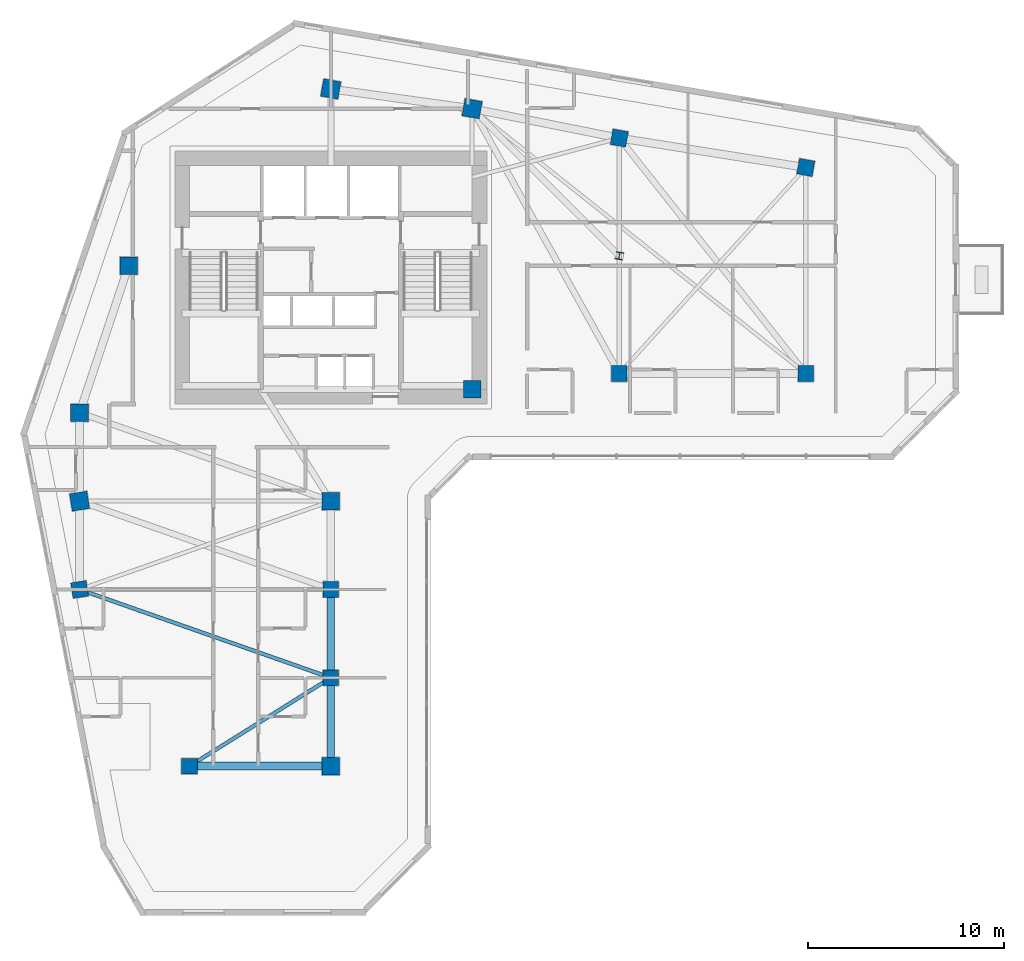
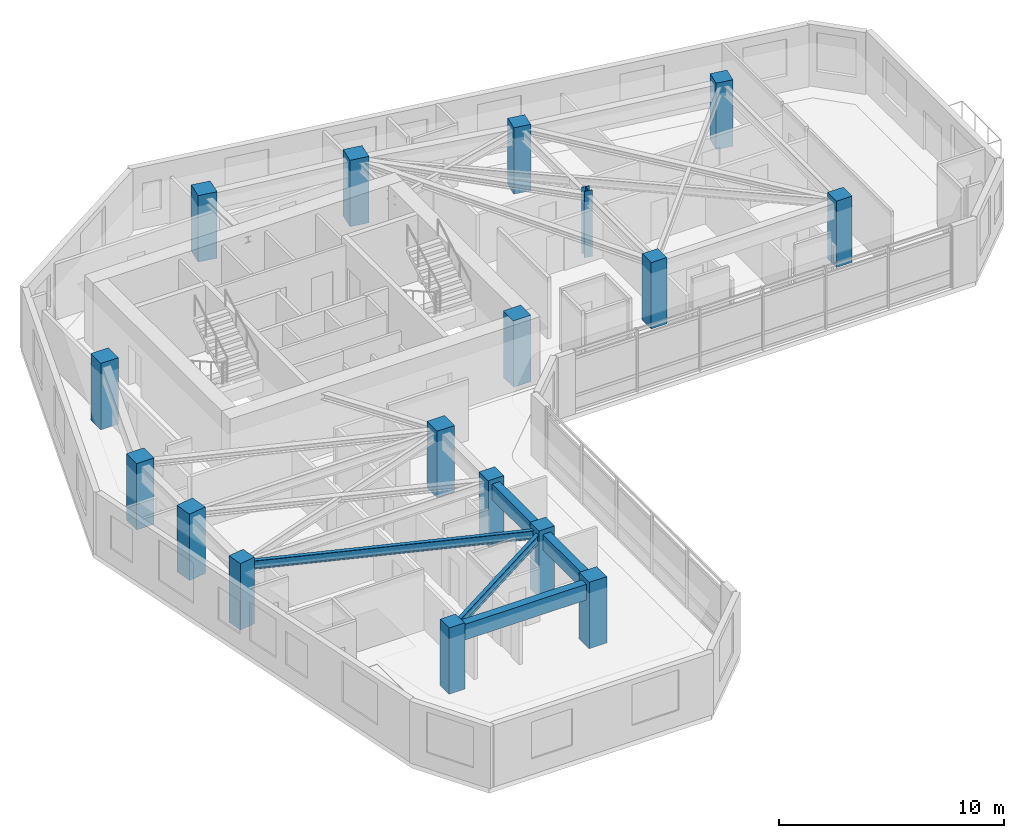
# One storey, part 1 of 14: 17 columns, 5 beams.
"""IFC4 building model written with IfcOpenShell, lengths in metres."""

from ifc_helpers import new_model, si_unit, direction, frame, origin, origin_2d, place, context, subcontext, project, spatial, rectangle, i_section, extrude, source, transform, mapped, material, material_profile, profile_set, type_object, element, save


model = new_model("IFC4")

# Units and contexts
model_context = context("Model", 3, precision=1e-05, world=origin(), true_north=direction((0.0, 1.0)))
body_context = subcontext(model_context, "Body", "Model", "MODEL_VIEW")
ifc_project = project(units=[si_unit("LENGTHUNIT", "METRE"), si_unit("AREAUNIT", "SQUARE_METRE"), si_unit("VOLUMEUNIT", "CUBIC_METRE"), si_unit("PLANEANGLEUNIT", "RADIAN"), si_unit("MASSUNIT", "GRAM", prefix="KILO")], contexts=[model_context])

# Site, building, storey
site_placement = place(None, origin())
site = spatial("IfcSite", under=ifc_project, at=site_placement, CompositionType="ELEMENT")
building_placement = place(site_placement, origin())
building = spatial("IfcBuilding", under=site, at=building_placement, Name="Calvemar Wedge Station Tower", CompositionType="ELEMENT")
storey_placement = place(building_placement, frame((0.0, 0.0, 128.60009765625)))
storey = spatial("IfcBuildingStorey", under=building, at=storey_placement, Name="L31", CompositionType="ELEMENT", Elevation=128.60009765625)

# Columns
ifc_material_1 = material(Name="Concrete C60", Category="concrete")
ifc_material_profile_1 = material_profile(ifc_material_1, rectangle(XDim=0.89990234375, YDim=0.89990234375, at=origin_2d()), Name="RC900x900")
ifc_profile_set_1 = profile_set([ifc_material_profile_1], Name="Concrete C60")
column_type_1 = type_object("IfcColumnType", Name="COL-C5-900", PredefinedType="COLUMN", material=ifc_profile_set_1)
shared_shape_1 = source(origin(), body_context, "Body", "SweptSolid", [
    extrude(rectangle(XDim=0.89990234375, YDim=0.89990234375, at=origin_2d()), origin(), (0.0, 0.0, 1.0), 3.599853515625),
])
for number, where, z_axis, x_axis, name in (
    (1, (11.0, 33.0, 0.0), (0.0, 0.0, 1.0), (1.0, 0.0, 0.0), "Storey L31 Column T-NW1"),
    (2, (13.5, 40.5, 0.0), (0.0, 0.0, 1.0), (1.0, 0.0, 0.0), "Storey L31 Column T-NW2"),
    (3, (23.800048828125, 49.5, 0.0), (0.0, 0.0, 1.0), (0.984195607969, -0.17708474032, 0.0), "Storey L31 Column T-N1"),
    (4, (31.0, 48.5, 0.0), (0.0, 0.0, 1.0), (0.984195607969, -0.17708474032, 0.0), "Storey L31 Column T-N2"),
    (5, (31.0, 34.199951171875, 0.0), (0.0, 0.0, 1.0), (1.0, 0.0, 0.0), "Storey L31 Column T-NL1"),
    (6, (11.0, 28.5, 0.0), (0.0, 0.0, 1.0), (0.158158067254, -0.987413806751, 0.0), "Storey L31 Column T-SW1"),
    (7, (23.800048828125, 28.5, 0.0), (0.0, 0.0, 1.0), (1.0, 0.0, 0.0), "Storey L31 Column T-SE1"),
    (8, (23.800048828125, 15.0, 0.0), (0.0, 0.0, 1.0), (1.0, 0.0, 0.0), "Storey L31 Column T-SE4"),
):
    element("IfcColumn", number, at=place(storey_placement, frame(where, z_axis=z_axis, x_axis=x_axis)), inside=storey, type_object=column_type_1, Name=name, PredefinedType="COLUMN", context=body_context, shape_type="MappedRepresentation", body=[
        mapped(shared_shape_1, transform((0.0, 0.0, 0.0), scale=1.0)),
    ])
ifc_material_2 = material(Name="Concrete C50", Category="concrete")
ifc_material_profile_2 = material_profile(ifc_material_2, rectangle(XDim=0.800048828125, YDim=0.800048828125, at=origin_2d()), Name="RC800x800")
ifc_profile_set_2 = profile_set([ifc_material_profile_2], Name="Concrete C50")
column_type_2 = type_object("IfcColumnType", Name="COL-C6-800", PredefinedType="COLUMN", material=ifc_profile_set_2)
shared_shape_2 = source(origin(), body_context, "Body", "SweptSolid", [
    extrude(rectangle(XDim=0.800048828125, YDim=0.800048828125, at=origin_2d()), origin(), (0.0, 0.0, 1.0), 3.599853515625),
])
for number, where, z_axis, x_axis, name in (
    (9, (38.5, 47.0, 0.0), (0.0, 0.0, 1.0), (0.984195607969, -0.17708474032, 0.0), "Storey L31 Column T-NU3"),
    (10, (48.0, 45.5, 0.0), (0.0, 0.0, 1.0), (0.984195607969, -0.17708474032, 0.0), "Storey L31 Column T-NU4"),
    (11, (38.5, 35.0, 0.0), (0.0, 0.0, 1.0), (1.0, 0.0, 0.0), "Storey L31 Column T-NL2"),
    (12, (48.0, 35.0, 0.0), (0.0, 0.0, 1.0), (1.0, 0.0, 0.0), "Storey L31 Column T-NL3"),
    (13, (11.0, 24.0, 0.0), (0.0, 0.0, 1.0), (0.158158067254, -0.987413806751, 0.0), "Storey L31 Column T-SW2"),
    (14, (23.800048828125, 24.0, 0.0), (0.0, 0.0, 1.0), (1.0, 0.0, 0.0), "Storey L31 Column T-SE2"),
    (15, (23.800048828125, 19.5, 0.0), (0.0, 0.0, 1.0), (1.0, 0.0, 0.0), "Storey L31 Column T-SE3"),
    (16, (16.60009765625, 15.0, 0.0), (0.0, 0.0, 1.0), (1.0, 0.0, 0.0), "Storey L31 Column T-SM1"),
):
    element("IfcColumn", number, at=place(storey_placement, frame(where, z_axis=z_axis, x_axis=x_axis)), inside=storey, type_object=column_type_2, Name=name, PredefinedType="COLUMN", context=body_context, shape_type="MappedRepresentation", body=[
        mapped(shared_shape_2, transform((0.0, 0.0, 0.0), scale=1.0)),
    ])
ifc_material_3 = material(Name="Structural steel ASTM A572 Grade 50", Category="steel")
ifc_material_profile_3 = material_profile(ifc_material_3, i_section(OverallWidth=0.3740234375, OverallDepth=0.3720703125, WebThickness=0.016357421875, FlangeThickness=0.026123046875, FilletRadius=0.014892578125, at=origin_2d()), Name="W360x196")
ifc_profile_set_3 = profile_set([ifc_material_profile_3], Name="Structural steel ASTM A572 Grade 50")
column_type_3 = type_object("IfcColumnType", Name="COL-STL-W360", PredefinedType="COLUMN", material=ifc_profile_set_3)
shared_shape_3 = source(origin(), body_context, "Body", "SweptSolid", [
    extrude(i_section(OverallWidth=0.3740234375, OverallDepth=0.3720703125, WebThickness=0.016357421875, FlangeThickness=0.026123046875, FilletRadius=0.014892578125, at=origin_2d()), origin(), (0.0, 0.0, 1.0), 3.599853515625),
])
column_placement = place(storey_placement, frame((38.5, 41.0, 0.0), z_axis=(0.0, 0.0, 1.0), x_axis=(0.984195607969, -0.17708474032, 0.0)))
element("IfcColumn", 17, at=column_placement, inside=storey, type_object=column_type_3, Name="Storey L31 Column T-NTIP-B", PredefinedType="COLUMN", context=body_context, shape_type="MappedRepresentation", body=[
    mapped(shared_shape_3, transform((0.0, 0.0, 0.0), scale=1.0)),
])

# Beams
ifc_material_profile_4 = material_profile(ifc_material_1, rectangle(XDim=0.39990234375, YDim=0.85009765625, at=origin_2d()), Name="RC400x850")
ifc_profile_set_4 = profile_set([ifc_material_profile_4], Name="Concrete C60")
beam_type_1 = type_object("IfcBeamType", Name="BM-SP1-850", PredefinedType="SPANDREL", material=ifc_profile_set_4)
shared_shape_4 = source(origin(), body_context, "Body", "SweptSolid", [
    extrude(rectangle(XDim=0.39990234375, YDim=0.85009765625, at=origin_2d()), origin(), (0.0, 0.0, 1.0), 4.5),
])
for number, where, z_axis, x_axis, name in (
    (18, (23.800048828125, 24.0, 2.9248046875), (0.0, -1.0, 0.0), (1.0, 0.0, 0.0), "Storey L31 Spandrel T-SE2-T-SE3"),
    (19, (23.800048828125, 19.5, 2.9248046875), (0.0, -1.0, 0.0), (1.0, 0.0, 0.0), "Storey L31 Spandrel T-SE3-T-SE4"),
):
    element("IfcBeam", number, at=place(storey_placement, frame(where, z_axis=z_axis, x_axis=x_axis)), inside=storey, type_object=beam_type_1, Name=name, PredefinedType="SPANDREL", context=body_context, shape_type="MappedRepresentation", body=[
        mapped(shared_shape_4, transform((0.0, 0.0, 0.0), scale=1.0)),
    ])
shared_shape_5 = source(origin(), body_context, "Body", "SweptSolid", [
    extrude(rectangle(XDim=0.39990234375, YDim=0.85009765625, at=origin_2d()), origin(), (0.0, 0.0, 1.0), 7.199951171875),
])
beam_1_placement = place(storey_placement, frame((16.60009765625, 15.0, 2.9248046875), z_axis=(1.0, 0.0, 0.0), x_axis=(0.0, 1.0, 0.0)))
element("IfcBeam", 20, at=beam_1_placement, inside=storey, type_object=beam_type_1, Name="Storey L31 Spandrel T-SM1-T-SE4", PredefinedType="SPANDREL", context=body_context, shape_type="MappedRepresentation", body=[
    mapped(shared_shape_5, transform((0.0, 0.0, 0.0), scale=1.0)),
])
ifc_material_profile_5 = material_profile(ifc_material_3, i_section(OverallWidth=0.19189453125, OverallDepth=0.462890625, WebThickness=0.010498046875, FlangeThickness=0.017578125, FilletRadius=0.012939453125, at=origin_2d()), Name="W460x89")
ifc_profile_set_5 = profile_set([ifc_material_profile_5], Name="Structural steel ASTM A572 Grade 50")
beam_type_2 = type_object("IfcBeamType", Name="BM-J1-W460", PredefinedType="JOIST", material=ifc_profile_set_5)
shared_shape_6 = source(origin(), body_context, "Body", "SweptSolid", [
    extrude(i_section(OverallWidth=0.19189453125, OverallDepth=0.462890625, WebThickness=0.010498046875, FlangeThickness=0.017578125, FilletRadius=0.012939453125, at=origin_2d()), origin(), (0.0, 0.0, 1.0), 13.568115234375),
])
beam_2_placement = place(storey_placement, frame((11.0, 24.0, 3.118408203125), z_axis=(0.943398221169, -0.331662171939, 0.0), x_axis=(0.331662171939, 0.943398221169, 0.0)))
element("IfcBeam", 21, at=beam_2_placement, inside=storey, type_object=beam_type_2, Name="Storey L31 Floor Beam T-SW2-T-SE3", PredefinedType="JOIST", context=body_context, shape_type="MappedRepresentation", body=[
    mapped(shared_shape_6, transform((0.0, 0.0, 0.0), scale=1.0)),
])
shared_shape_7 = source(origin(), body_context, "Body", "SweptSolid", [
    extrude(i_section(OverallWidth=0.19189453125, OverallDepth=0.462890625, WebThickness=0.010498046875, FlangeThickness=0.017578125, FilletRadius=0.012939453125, at=origin_2d()), origin(), (0.0, 0.0, 1.0), 8.490478515625),
])
beam_3_placement = place(storey_placement, frame((23.800048828125, 19.5, 3.118408203125), z_axis=(-0.847996688584, -0.530001524668, 0.0), x_axis=(0.530001524668, -0.847996688584, 0.0)))
element("IfcBeam", 22, at=beam_3_placement, inside=storey, type_object=beam_type_2, Name="Storey L31 Floor Beam T-SE3-T-SM1", PredefinedType="JOIST", context=body_context, shape_type="MappedRepresentation", body=[
    mapped(shared_shape_7, transform((0.0, 0.0, 0.0), scale=1.0)),
])

save(model, "model.ifc")
